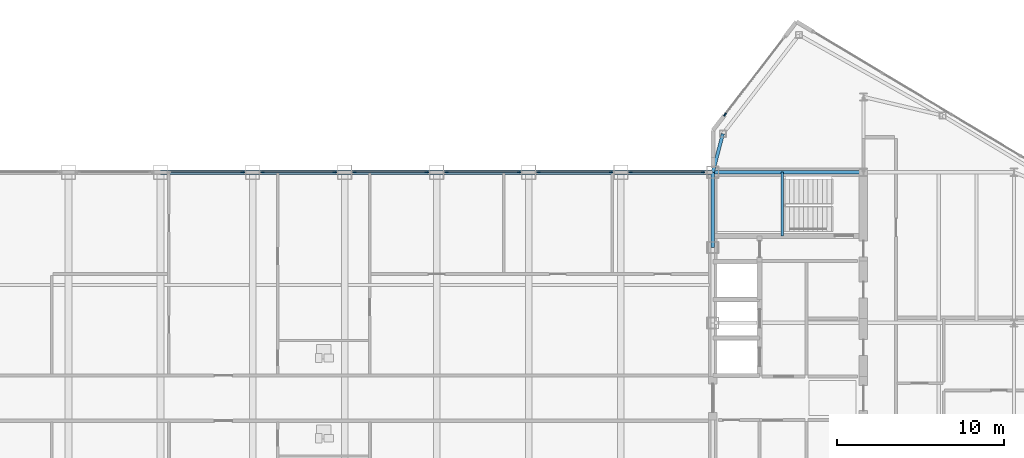
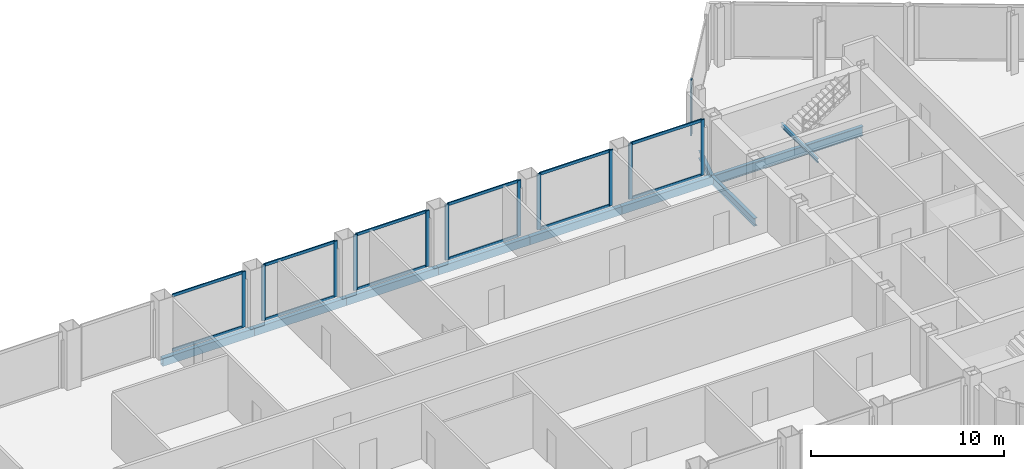
# One storey, part 16 of 29: 24 members, 10 beams, 7 elements without a shape of their own.
"""IFC4 building model written with IfcOpenShell, lengths in metres."""

import ifcopenshell
import ifcopenshell.guid

model = None  # the IFC model being written
_history = None  # IfcOwnerHistory: only IFC2X3 demands one
_inside = {}  # id of a spatial element -> (the spatial element, [elements in it])
_under = {}  # id of a project, library or spatial element -> (it, [spatial elements below it])
_declared = {}  # id of a project -> (the project, [libraries it declares])
_typed = {}  # id of a type object -> (the type object, [elements of that type])
_made_of = {}  # id of a material, layer set ... -> (it, [elements and type objects made of it])


def new_model(schema):
    """Start an empty IFC model of exactly this schema.

    Asked for "IFC4X3", IfcOpenShell would pick the latest addendum, in which some entities
    have other attributes; the version numbers below select the first issue.
    IFC2X3 requires an IfcOwnerHistory on every rooted entity: one is made here for all.
    """
    global model, _history
    if schema == "IFC4X3":
        model = ifcopenshell.file(schema_version=(4, 3, 0, 0))
    else:
        model = ifcopenshell.file(schema=schema)
    _inside.clear()
    _under.clear()
    _declared.clear()
    _typed.clear()
    _made_of.clear()
    _history = None
    if model.schema == "IFC2X3":
        org = make("IfcOrganization", Name="unknown")
        user = make(
            "IfcPersonAndOrganization",
            ThePerson=make("IfcPerson", FamilyName="unknown"),
            TheOrganization=org,
        )
        app = make(
            "IfcApplication",
            ApplicationDeveloper=org,
            Version="unknown",
            ApplicationFullName="unknown",
            ApplicationIdentifier="unknown",
        )
        _history = make(
            "IfcOwnerHistory",
            OwningUser=user,
            OwningApplication=app,
            ChangeAction="ADDED",
            CreationDate=0,
        )
    return model


def make(cls, **values):
    """One entity of the class cls with the attributes given. An attribute that is None is left unset."""
    return model.create_entity(
        cls, **{name: value for name, value in values.items() if value is not None}
    )


def rooted(cls, **values):
    """An entity with a GlobalId (a new one), such as an element, a storey or a relation."""
    return make(cls, GlobalId=ifcopenshell.guid.new(), OwnerHistory=_history, **values)


def si_unit(unit_type, name, prefix=None):
    """IfcSIUnit, for example si_unit("LENGTHUNIT", "METRE", prefix="MILLI")."""
    return make("IfcSIUnit", UnitType=unit_type, Prefix=prefix, Name=name)


def assignment(units):
    """IfcUnitAssignment: the units of a project."""
    return None if units is None else make("IfcUnitAssignment", Units=units)


def point(xyz):
    """IfcCartesianPoint."""
    return None if xyz is None else make("IfcCartesianPoint", Coordinates=xyz)


def direction(xyz):
    """IfcDirection."""
    return None if xyz is None else make("IfcDirection", DirectionRatios=xyz)


def frame(location, z_axis=None, x_axis=None):
    """IfcAxis2Placement3D, a coordinate frame: its origin and axes. An axis left out is left unset."""
    return make(
        "IfcAxis2Placement3D",
        Location=point(location),
        Axis=direction(z_axis),
        RefDirection=direction(x_axis),
    )


def frame_2d(location, x_axis=None):
    """IfcAxis2Placement2D, a coordinate frame in the plane: its origin and x axis."""
    return make(
        "IfcAxis2Placement2D", Location=point(location), RefDirection=direction(x_axis)
    )


def origin():
    """The frame at (0, 0, 0) with its axes left unset."""
    return frame((0.0, 0.0, 0.0))


def origin_2d():
    """The frame at (0, 0) in the plane with its x axis left unset."""
    return frame_2d((0.0, 0.0))


def place(relative_to, where):
    """IfcLocalPlacement: puts the frame where relative to a parent placement (None: the world)."""
    return make(
        "IfcLocalPlacement", PlacementRelTo=relative_to, RelativePlacement=where
    )


def context(
    kind, dimensions, precision=None, world=None, true_north=None, identifier=None
):
    """IfcGeometricRepresentationContext, for example the 3D "Model" context."""
    return make(
        "IfcGeometricRepresentationContext",
        ContextIdentifier=identifier,
        ContextType=kind,
        CoordinateSpaceDimension=dimensions,
        Precision=precision,
        WorldCoordinateSystem=world,
        TrueNorth=true_north,
    )


def subcontext(parent, identifier, kind, view, scale=None):
    """IfcGeometricRepresentationSubContext, for example "Body" below "Model"."""
    return make(
        "IfcGeometricRepresentationSubContext",
        ContextIdentifier=identifier,
        ContextType=kind,
        ParentContext=parent,
        TargetScale=scale,
        TargetView=view,
    )


def project(units=None, contexts=None):
    """IfcProject with its units and contexts."""
    return rooted(
        "IfcProject",
        Name="project",
        RepresentationContexts=contexts,
        UnitsInContext=assignment(units),
    )


def spatial(cls, under=None, at=None, **own):
    """A site, building, storey or space (cls), placed at a placement, below another one or the project."""
    s = rooted(cls, ObjectPlacement=at, **own)
    if under is not None:
        _under.setdefault(under.id(), (under, []))[1].append(s)
    return s


def profile(cls, at=None, kind="AREA", **sizes):
    """A parametric profile (cls). Its sizes go by their IFC names, for example OverallWidth=200.0."""
    return make(cls, ProfileType=kind, Position=at, **sizes)


def rectangle(**sizes):
    """IfcRectangleProfileDef."""
    return profile("IfcRectangleProfileDef", **sizes)


def hollow_rectangle(**sizes):
    """IfcRectangleHollowProfileDef."""
    return profile("IfcRectangleHollowProfileDef", **sizes)


def i_section(**sizes):
    """IfcIShapeProfileDef."""
    return profile("IfcIShapeProfileDef", **sizes)


def extrude(swept, where, along, depth):
    """IfcExtrudedAreaSolid: the profile swept, set in the frame where, extruded along a direction by depth."""
    return make(
        "IfcExtrudedAreaSolid",
        SweptArea=swept,
        Position=where,
        ExtrudedDirection=direction(along),
        Depth=depth,
    )


def shape(context_of_items, identifier, shape_type, items):
    """IfcShapeRepresentation: the items that make up one representation, for example the "Body"."""
    return make(
        "IfcShapeRepresentation",
        ContextOfItems=context_of_items,
        RepresentationIdentifier=identifier,
        RepresentationType=shape_type,
        Items=items,
    )


def source(mapping_origin, context_of_items, identifier, shape_type, items):
    """IfcRepresentationMap: a shape defined once, which mapped items show again and again."""
    return make(
        "IfcRepresentationMap",
        MappingOrigin=mapping_origin,
        MappedRepresentation=shape(context_of_items, identifier, shape_type, items),
    )


def transform(
    local_origin,
    x_axis=None,
    y_axis=None,
    z_axis=None,
    scale=None,
    scale2=None,
    scale3=None,
    uniform=True,
):
    """IfcCartesianTransformationOperator3D, or its non-uniform kind. x_axis, y_axis, z_axis: its Axis1, 2, 3."""
    if uniform:
        return make(
            "IfcCartesianTransformationOperator3D",
            Axis1=direction(x_axis),
            Axis2=direction(y_axis),
            LocalOrigin=point(local_origin),
            Scale=scale,
            Axis3=direction(z_axis),
        )
    return make(
        "IfcCartesianTransformationOperator3DnonUniform",
        Axis1=direction(x_axis),
        Axis2=direction(y_axis),
        LocalOrigin=point(local_origin),
        Scale=scale,
        Axis3=direction(z_axis),
        Scale2=scale2,
        Scale3=scale3,
    )


def mapped(mapping_source, mapping_target):
    """IfcMappedItem: shows the shape of a source again, moved by a transform."""
    return make(
        "IfcMappedItem", MappingSource=mapping_source, MappingTarget=mapping_target
    )


def material(Name=None, Category=None):
    """IfcMaterial."""
    return make("IfcMaterial", Name=Name, Category=Category)


def layer(
    of_material, thickness, ventilated=None, Name=None, Category=None, Priority=None
):
    """IfcMaterialLayer: one layer of a wall or slab, of a material (None: an air gap)."""
    return make(
        "IfcMaterialLayer",
        Material=of_material,
        LayerThickness=thickness,
        IsVentilated=ventilated,
        Name=Name,
        Category=Category,
        Priority=Priority,
    )


def layer_set(layers, Name=None):
    """IfcMaterialLayerSet."""
    return make("IfcMaterialLayerSet", MaterialLayers=layers, LayerSetName=Name)


def material_profile(
    of_material, cross_section, Name=None, Category=None, Priority=None
):
    """IfcMaterialProfile: a cross section and its material."""
    return make(
        "IfcMaterialProfile",
        Name=Name,
        Material=of_material,
        Profile=cross_section,
        Priority=Priority,
        Category=Category,
    )


def profile_set(profiles, Name=None, composite=None):
    """IfcMaterialProfileSet."""
    return make(
        "IfcMaterialProfileSet",
        Name=Name,
        MaterialProfiles=profiles,
        CompositeProfile=composite,
    )


def made_of(thing, what):
    """Note that an element or type object is made of a material, layer set ...; save() writes the relation."""
    if what is not None:
        _made_of.setdefault(what.id(), (what, []))[1].append(thing)
    return thing


def type_object(cls, material=None, **own):
    """A type object (cls), such as IfcWallType, which elements share."""
    return made_of(rooted(cls, **own), material)


def type_shapes(of_type, sources):
    """Give a type object the sources (RepresentationMaps) that its elements show as mapped items."""
    of_type.RepresentationMaps = sources


def element(
    cls,
    number,
    at=None,
    inside=None,
    cuts=None,
    type_object=None,
    material=None,
    context=None,
    identifier="Body",
    shape_type=None,
    held_by="IfcProductDefinitionShape",
    body=None,
    shapes=None,
    **own,
):
    """One element of the class cls, such as IfcWall. Its Tag is "e" and its number.

    at: its placement. inside: the storey or other place that contains it. cuts: it is an
    opening in that element (IfcRelVoidsElement). A single representation is given by context,
    identifier, shape_type and body (its items); several are given by shapes. held_by: the class
    of the entity that holds the representations. save() writes the other relations.
    """
    e = rooted(cls, Tag="e%d" % number, ObjectPlacement=at, **own)
    if body is not None:
        shapes = [shape(context, identifier, shape_type, body)]
    if shapes is not None:
        e.Representation = make(held_by, Representations=shapes)
    if inside is not None:
        _inside.setdefault(inside.id(), (inside, []))[1].append(e)
    if cuts is not None:
        rooted(
            "IfcRelVoidsElement", RelatingBuildingElement=cuts, RelatedOpeningElement=e
        )
    if type_object is not None:
        _typed.setdefault(type_object.id(), (type_object, []))[1].append(e)
    return made_of(e, material)


def aggregate(whole, parts):
    """IfcRelAggregates: a whole, such as a stair, and the parts it consists of."""
    return rooted("IfcRelAggregates", RelatingObject=whole, RelatedObjects=parts)


def save(model, path):
    """Write the relations noted so far, then the file.

    IfcRelAggregates (storeys below a building ...), IfcRelContainedInSpatialStructure (elements
    in a storey), IfcRelDefinesByType, IfcRelAssociatesMaterial and IfcRelDeclares: one each for
    every whole, place, type object, material and project.
    """
    for whole, parts in _under.values():
        aggregate(whole, parts)
    for where, things in _inside.values():
        rooted(
            "IfcRelContainedInSpatialStructure",
            RelatedElements=things,
            RelatingStructure=where,
        )
    for kind, things in _typed.values():
        rooted("IfcRelDefinesByType", RelatedObjects=things, RelatingType=kind)
    for what, things in _made_of.values():
        rooted("IfcRelAssociatesMaterial", RelatedObjects=things, RelatingMaterial=what)
    for by, libraries in _declared.values():
        rooted("IfcRelDeclares", RelatingContext=by, RelatedDefinitions=libraries)
    model.write(path)


model = new_model("IFC4")

# Units and contexts
model_context = context("Model", 3, precision=1e-05, world=origin(), true_north=direction((0.0, 1.0)))
body_context = subcontext(model_context, "Body", "Model", "MODEL_VIEW")
ifc_project = project(units=[si_unit("LENGTHUNIT", "METRE"), si_unit("AREAUNIT", "SQUARE_METRE"), si_unit("VOLUMEUNIT", "CUBIC_METRE"), si_unit("PLANEANGLEUNIT", "RADIAN"), si_unit("MASSUNIT", "GRAM", prefix="KILO")], contexts=[model_context])

# Site, building, storey
site_placement = place(None, origin())
site = spatial("IfcSite", under=ifc_project, at=site_placement, CompositionType="ELEMENT")
building_placement = place(site_placement, origin())
building = spatial("IfcBuilding", under=site, at=building_placement, Name="Seokmaru Belvedere", CompositionType="ELEMENT")
storey_placement = place(building_placement, frame((0.0, 0.0, 254.39990234375)))
storey = spatial("IfcBuildingStorey", under=building, at=storey_placement, Name="L67", CompositionType="ELEMENT", Elevation=254.39990234375)

# Beams
ifc_material_1 = material(Name="Steel SM355 (355 MPa)", Category="steel")
ifc_material_profile_1 = material_profile(ifc_material_1, i_section(OverallWidth=0.199951171875, OverallDepth=0.5, WebThickness=0.010009765625, FlangeThickness=0.01611328125, at=origin_2d()), Name="H-500x200x10x16")
ifc_profile_set_1 = profile_set([ifc_material_profile_1], Name="Steel SM355 (355 MPa)")
beam_type_1 = type_object("IfcBeamType", Name="Perimeter Spandrel Beam H-500", PredefinedType="SPANDREL", material=ifc_profile_set_1)
shared_shape_1 = source(origin(), body_context, "Body", "SweptSolid", [
    extrude(i_section(OverallWidth=0.199951171875, OverallDepth=0.5, WebThickness=0.010009765625, FlangeThickness=0.01611328125, at=origin_2d()), origin(), (0.0, 0.0, 1.0), 4.5),
])
beam_1_placement = place(storey_placement, frame((27.5, 9.0, -0.469970703125), z_axis=(0.0, 1.0, 0.0), x_axis=(-1.0, 0.0, 0.0)))
element("IfcBeam", 1, at=beam_1_placement, inside=storey, type_object=beam_type_1, Name="L67 E Portal Spine Spandrel 5", PredefinedType="SPANDREL", context=body_context, shape_type="MappedRepresentation", body=[
    mapped(shared_shape_1, transform((0.0, 0.0, 0.0), scale=1.0)),
])
ifc_material_profile_2 = material_profile(ifc_material_1, i_section(OverallWidth=0.199951171875, OverallDepth=0.60009765625, WebThickness=0.010986328125, FlangeThickness=0.01708984375, at=origin_2d()), Name="H-600x200x11x17")
ifc_profile_set_2 = profile_set([ifc_material_profile_2], Name="Steel SM355 (355 MPa)")
beam_type_2 = type_object("IfcBeamType", Name="Primary Floor Girder H-600", PredefinedType="BEAM", material=ifc_profile_set_2)
shared_shape_2 = source(origin(), body_context, "Body", "SweptSolid", [
    extrude(i_section(OverallWidth=0.199951171875, OverallDepth=0.60009765625, WebThickness=0.010986328125, FlangeThickness=0.01708984375, at=origin_2d()), origin(), (0.0, 0.0, 1.0), 9.0),
])
type_shapes(beam_type_2, [shared_shape_2])
beam_2_placement = place(storey_placement, frame((27.5, 13.5, -0.52001953125), z_axis=(1.0, 0.0, 0.0), x_axis=(0.0, 1.0, 0.0)))
element("IfcBeam", 2, at=beam_2_placement, inside=storey, type_object=beam_type_2, Name="L67 E Core Tie Girder 4", PredefinedType="BEAM", context=body_context, shape_type="MappedRepresentation", body=[
    mapped(shared_shape_2, transform((0.0, 0.0, 0.0), scale=1.0)),
])
shared_shape_3 = source(origin(), body_context, "Body", "SweptSolid", [
    extrude(i_section(OverallWidth=0.199951171875, OverallDepth=0.5, WebThickness=0.010009765625, FlangeThickness=0.01611328125, at=origin_2d()), origin(), (0.0, 0.0, 1.0), 2.373046875),
])
type_shapes(beam_type_1, [shared_shape_1, shared_shape_3])
beam_3_placement = place(storey_placement, frame((28.10009765625, 15.7958984375, -0.469970703125), z_axis=(-0.252882558842, -0.967496982648, 0.0), x_axis=(0.967496982648, -0.252882558842, 0.0)))
element("IfcBeam", 3, at=beam_3_placement, inside=storey, type_object=beam_type_1, Name="L67 E Shoulder Spine Spandrel N", PredefinedType="SPANDREL", context=body_context, shape_type="MappedRepresentation", body=[
    mapped(shared_shape_3, transform((0.0, 0.0, 0.0), scale=1.0)),
])
ifc_material_profile_3 = material_profile(ifc_material_1, hollow_rectangle(XDim=0.25, YDim=0.5, WallThickness=0.013916015625, at=origin_2d()), Name="RHS-500x250x14")
ifc_profile_set_3 = profile_set([ifc_material_profile_3], Name="Steel SM355 (355 MPa)")
beam_type_3 = type_object("IfcBeamType", Name="Bridge Edge Spandrel RHS-500", PredefinedType="SPANDREL", material=ifc_profile_set_3)
shared_shape_4 = source(origin(), body_context, "Body", "SweptSolid", [
    extrude(hollow_rectangle(XDim=0.25, YDim=0.5, WallThickness=0.013916015625, at=origin_2d()), origin(), (0.0, 0.0, 1.0), 5.5),
])
type_shapes(beam_type_3, [shared_shape_4])
for number, where, z_axis, x_axis, name in (
    (4, (-5.5, 13.5, -0.469970703125), (1.0, 0.0, 0.0), (0.0, 1.0, 0.0), "L67 Sky-Gate Bridge Edge Girder N-05"),
    (5, (0.0, 13.5, -0.469970703125), (1.0, 0.0, 0.0), (0.0, 1.0, 0.0), "L67 Sky-Gate Bridge Edge Girder N-06"),
    (6, (5.5, 13.5, -0.469970703125), (1.0, 0.0, 0.0), (0.0, 1.0, 0.0), "L67 Sky-Gate Bridge Edge Girder N-07"),
    (7, (11.0, 13.5, -0.469970703125), (1.0, 0.0, 0.0), (0.0, 1.0, 0.0), "L67 Sky-Gate Bridge Edge Girder N-08"),
    (8, (16.5, 13.5, -0.469970703125), (1.0, 0.0, 0.0), (0.0, 1.0, 0.0), "L67 Sky-Gate Bridge Edge Girder N-09"),
    (9, (22.0, 13.5, -0.469970703125), (1.0, 0.0, 0.0), (0.0, 1.0, 0.0), "L67 Sky-Gate Bridge Edge Girder N-10"),
):
    element("IfcBeam", number, at=place(storey_placement, frame(where, z_axis=z_axis, x_axis=x_axis)), inside=storey, type_object=beam_type_3, Name=name, PredefinedType="SPANDREL", context=body_context, shape_type="MappedRepresentation", body=[
        mapped(shared_shape_4, transform((0.0, 0.0, 0.0), scale=1.0)),
    ])

# Curtain wall, members
ifc_material_2 = material(Name="Bronze Triple Insulating Glass", Category="glass")
ifc_layer = layer(ifc_material_2, 0.219970703125)
ifc_layer_set = layer_set([ifc_layer], Name="Bronze Triple Insulating Glass")
curtain_wall_type = type_object("IfcCurtainWallType", Name="Sky-Gate Bridge Panorama Curtain Wall System CW-6", PredefinedType="NOTDEFINED", material=ifc_layer_set)
curtain_wall_1_placement = place(storey_placement, origin())
curtain_wall_1 = element("IfcCurtainWall", 10, at=curtain_wall_1_placement, inside=storey, type_object=curtain_wall_type, Name="L67 Curtain Wall BR_N05", PredefinedType="NOTDEFINED")
ifc_material_3 = material(Name="Anodised Bronze Aluminium", Category="aluminium")
ifc_material_profile_4 = material_profile(ifc_material_3, rectangle(XDim=0.074951171875, YDim=0.179931640625, at=origin_2d()), Name="CW-T-75x180")
ifc_profile_set_4 = profile_set([ifc_material_profile_4], Name="Anodised Bronze Aluminium")
member_type_1 = type_object("IfcMemberType", Name="Bronze Unitised Transom 75x180", PredefinedType="USERDEFINED", material=ifc_profile_set_4)
shared_shape_5 = source(origin(), body_context, "Body", "SweptSolid", [
    extrude(rectangle(XDim=0.074951171875, YDim=0.179931640625, at=origin_2d()), origin(), (0.0, 0.0, 1.0), 4.240234375),
])
type_shapes(member_type_1, [shared_shape_5])
member_1_placement = place(storey_placement, frame((-0.6298828125, 13.5, 0.03759765625), z_axis=(-1.0, 0.0, 0.0), x_axis=(0.0, -1.0, 0.0)))
member_1 = element("IfcMember", 11, at=member_1_placement, type_object=member_type_1, Name="CW:L67:BR_N05 Continuous Transom 1", ObjectType="TRANSOM", PredefinedType="USERDEFINED", context=body_context, shape_type="MappedRepresentation", body=[
    mapped(shared_shape_5, transform((0.0, 0.0, 0.0), scale=1.0)),
])
member_2_placement = place(storey_placement, frame((-0.6298828125, 13.5, 3.49267578125), z_axis=(-1.0, 0.0, 0.0), x_axis=(0.0, -1.0, 0.0)))
member_2 = element("IfcMember", 12, at=member_2_placement, type_object=member_type_1, Name="CW:L67:BR_N05 Continuous Transom 2", ObjectType="TRANSOM", PredefinedType="USERDEFINED", context=body_context, shape_type="MappedRepresentation", body=[
    mapped(shared_shape_5, transform((0.0, 0.0, 0.0), scale=1.0)),
])

curtain_wall_2_placement = place(storey_placement, origin())
curtain_wall_2 = element("IfcCurtainWall", 13, at=curtain_wall_2_placement, inside=storey, type_object=curtain_wall_type, Name="L67 Curtain Wall BR_N06", PredefinedType="NOTDEFINED")
member_3_placement = place(storey_placement, frame((4.8701171875, 13.5, 0.03759765625), z_axis=(-1.0, 0.0, 0.0), x_axis=(0.0, -1.0, 0.0)))
member_3 = element("IfcMember", 14, at=member_3_placement, type_object=member_type_1, Name="CW:L67:BR_N06 Continuous Transom 1", ObjectType="TRANSOM", PredefinedType="USERDEFINED", context=body_context, shape_type="MappedRepresentation", body=[
    mapped(shared_shape_5, transform((0.0, 0.0, 0.0), scale=1.0)),
])
member_4_placement = place(storey_placement, frame((4.8701171875, 13.5, 3.49267578125), z_axis=(-1.0, 0.0, 0.0), x_axis=(0.0, -1.0, 0.0)))
member_4 = element("IfcMember", 15, at=member_4_placement, type_object=member_type_1, Name="CW:L67:BR_N06 Continuous Transom 2", ObjectType="TRANSOM", PredefinedType="USERDEFINED", context=body_context, shape_type="MappedRepresentation", body=[
    mapped(shared_shape_5, transform((0.0, 0.0, 0.0), scale=1.0)),
])

curtain_wall_3_placement = place(storey_placement, origin())
curtain_wall_3 = element("IfcCurtainWall", 16, at=curtain_wall_3_placement, inside=storey, type_object=curtain_wall_type, Name="L67 Curtain Wall BR_N07", PredefinedType="NOTDEFINED")
member_5_placement = place(storey_placement, frame((10.3701171875, 13.5, 0.03759765625), z_axis=(-1.0, 0.0, 0.0), x_axis=(0.0, -1.0, 0.0)))
member_5 = element("IfcMember", 17, at=member_5_placement, type_object=member_type_1, Name="CW:L67:BR_N07 Continuous Transom 1", ObjectType="TRANSOM", PredefinedType="USERDEFINED", context=body_context, shape_type="MappedRepresentation", body=[
    mapped(shared_shape_5, transform((0.0, 0.0, 0.0), scale=1.0)),
])
member_6_placement = place(storey_placement, frame((10.3701171875, 13.5, 3.49267578125), z_axis=(-1.0, 0.0, 0.0), x_axis=(0.0, -1.0, 0.0)))
member_6 = element("IfcMember", 18, at=member_6_placement, type_object=member_type_1, Name="CW:L67:BR_N07 Continuous Transom 2", ObjectType="TRANSOM", PredefinedType="USERDEFINED", context=body_context, shape_type="MappedRepresentation", body=[
    mapped(shared_shape_5, transform((0.0, 0.0, 0.0), scale=1.0)),
])

curtain_wall_4_placement = place(storey_placement, origin())
curtain_wall_4 = element("IfcCurtainWall", 19, at=curtain_wall_4_placement, inside=storey, type_object=curtain_wall_type, Name="L67 Curtain Wall BR_N08", PredefinedType="NOTDEFINED")
member_7_placement = place(storey_placement, frame((15.8701171875, 13.5, 0.03759765625), z_axis=(-1.0, 0.0, 0.0), x_axis=(0.0, -1.0, 0.0)))
member_7 = element("IfcMember", 20, at=member_7_placement, type_object=member_type_1, Name="CW:L67:BR_N08 Continuous Transom 1", ObjectType="TRANSOM", PredefinedType="USERDEFINED", context=body_context, shape_type="MappedRepresentation", body=[
    mapped(shared_shape_5, transform((0.0, 0.0, 0.0), scale=1.0)),
])
member_8_placement = place(storey_placement, frame((15.8701171875, 13.5, 3.49267578125), z_axis=(-1.0, 0.0, 0.0), x_axis=(0.0, -1.0, 0.0)))
member_8 = element("IfcMember", 21, at=member_8_placement, type_object=member_type_1, Name="CW:L67:BR_N08 Continuous Transom 2", ObjectType="TRANSOM", PredefinedType="USERDEFINED", context=body_context, shape_type="MappedRepresentation", body=[
    mapped(shared_shape_5, transform((0.0, 0.0, 0.0), scale=1.0)),
])

curtain_wall_5_placement = place(storey_placement, origin())
curtain_wall_5 = element("IfcCurtainWall", 22, at=curtain_wall_5_placement, inside=storey, type_object=curtain_wall_type, Name="L67 Curtain Wall BR_N09", PredefinedType="NOTDEFINED")
member_9_placement = place(storey_placement, frame((21.3701171875, 13.5, 0.03759765625), z_axis=(-1.0, 0.0, 0.0), x_axis=(0.0, -1.0, 0.0)))
member_9 = element("IfcMember", 23, at=member_9_placement, type_object=member_type_1, Name="CW:L67:BR_N09 Continuous Transom 1", ObjectType="TRANSOM", PredefinedType="USERDEFINED", context=body_context, shape_type="MappedRepresentation", body=[
    mapped(shared_shape_5, transform((0.0, 0.0, 0.0), scale=1.0)),
])
member_10_placement = place(storey_placement, frame((21.3701171875, 13.5, 3.49267578125), z_axis=(-1.0, 0.0, 0.0), x_axis=(0.0, -1.0, 0.0)))
member_10 = element("IfcMember", 24, at=member_10_placement, type_object=member_type_1, Name="CW:L67:BR_N09 Continuous Transom 2", ObjectType="TRANSOM", PredefinedType="USERDEFINED", context=body_context, shape_type="MappedRepresentation", body=[
    mapped(shared_shape_5, transform((0.0, 0.0, 0.0), scale=1.0)),
])

curtain_wall_6_placement = place(storey_placement, origin())
curtain_wall_6 = element("IfcCurtainWall", 25, at=curtain_wall_6_placement, inside=storey, type_object=curtain_wall_type, Name="L67 Curtain Wall BR_N10", PredefinedType="NOTDEFINED")
member_11_placement = place(storey_placement, frame((26.8701171875, 13.5, 0.03759765625), z_axis=(-1.0, 0.0, 0.0), x_axis=(0.0, -1.0, 0.0)))
member_11 = element("IfcMember", 26, at=member_11_placement, type_object=member_type_1, Name="CW:L67:BR_N10 Continuous Transom 1", ObjectType="TRANSOM", PredefinedType="USERDEFINED", context=body_context, shape_type="MappedRepresentation", body=[
    mapped(shared_shape_5, transform((0.0, 0.0, 0.0), scale=1.0)),
])
member_12_placement = place(storey_placement, frame((26.8701171875, 13.5, 3.49267578125), z_axis=(-1.0, 0.0, 0.0), x_axis=(0.0, -1.0, 0.0)))
member_12 = element("IfcMember", 27, at=member_12_placement, type_object=member_type_1, Name="CW:L67:BR_N10 Continuous Transom 2", ObjectType="TRANSOM", PredefinedType="USERDEFINED", context=body_context, shape_type="MappedRepresentation", body=[
    mapped(shared_shape_5, transform((0.0, 0.0, 0.0), scale=1.0)),
])

# Curtain wall, member
curtain_wall_7_placement = place(storey_placement, origin())
curtain_wall_7 = element("IfcCurtainWall", 28, at=curtain_wall_7_placement, inside=storey, type_object=curtain_wall_type, Name="L67 Curtain Wall EF4", PredefinedType="NOTDEFINED")
ifc_material_profile_5 = material_profile(ifc_material_3, rectangle(XDim=0.080078125, YDim=0.219970703125, at=origin_2d()), Name="CW-M-80x220")
ifc_profile_set_5 = profile_set([ifc_material_profile_5], Name="Anodised Bronze Aluminium")
member_type_2 = type_object("IfcMemberType", Name="Bronze Unitised Mullion 80x220", PredefinedType="MULLION", material=ifc_profile_set_5)
shared_shape_6 = source(origin(), body_context, "Body", "SweptSolid", [
    extrude(rectangle(XDim=0.080078125, YDim=0.219970703125, at=origin_2d()), origin(), (0.0, 0.0, 1.0), 3.530029296875),
])
type_shapes(member_type_2, [shared_shape_6])
member_13_placement = place(storey_placement, frame((28.2255859375, 16.943115234375, 0.0), z_axis=(0.0, 0.0, 1.0), x_axis=(0.792631353244, -0.609701187349, 0.0)))
member_13 = element("IfcMember", 29, at=member_13_placement, type_object=member_type_2, Name="CW:L67:EF4 Mullion 2", PredefinedType="MULLION", context=body_context, shape_type="MappedRepresentation", body=[
    mapped(shared_shape_6, transform((0.0, 0.0, 0.0), scale=1.0)),
])
aggregate(curtain_wall_7, [member_13])

# Member
member_14_placement = place(storey_placement, frame((-0.590087890625, 13.5, 0.0), z_axis=(0.0, 0.0, 1.0), x_axis=(0.0, -1.0, 0.0)))
member_14 = element("IfcMember", 30, at=member_14_placement, type_object=member_type_2, Name="CW:L67:BR_N05 Mullion 1", PredefinedType="MULLION", context=body_context, shape_type="MappedRepresentation", body=[
    mapped(shared_shape_6, transform((0.0, 0.0, 0.0), scale=1.0)),
])

aggregate(curtain_wall_1, [member_14, member_1, member_2])

member_15_placement = place(storey_placement, frame((4.909912109375, 13.5, 0.0), z_axis=(0.0, 0.0, 1.0), x_axis=(0.0, -1.0, 0.0)))
member_15 = element("IfcMember", 31, at=member_15_placement, type_object=member_type_2, Name="CW:L67:BR_N06 Mullion 1", PredefinedType="MULLION", context=body_context, shape_type="MappedRepresentation", body=[
    mapped(shared_shape_6, transform((0.0, 0.0, 0.0), scale=1.0)),
])

member_16_placement = place(storey_placement, frame((0.590087890625, 13.5, 0.0), z_axis=(0.0, 0.0, 1.0), x_axis=(0.0, -1.0, 0.0)))
member_16 = element("IfcMember", 32, at=member_16_placement, type_object=member_type_2, Name="CW:L67:BR_N06 Mullion 2", PredefinedType="MULLION", context=body_context, shape_type="MappedRepresentation", body=[
    mapped(shared_shape_6, transform((0.0, 0.0, 0.0), scale=1.0)),
])

aggregate(curtain_wall_2, [member_15, member_16, member_3, member_4])

member_17_placement = place(storey_placement, frame((10.409912109375, 13.5, 0.0), z_axis=(0.0, 0.0, 1.0), x_axis=(0.0, -1.0, 0.0)))
member_17 = element("IfcMember", 33, at=member_17_placement, type_object=member_type_2, Name="CW:L67:BR_N07 Mullion 1", PredefinedType="MULLION", context=body_context, shape_type="MappedRepresentation", body=[
    mapped(shared_shape_6, transform((0.0, 0.0, 0.0), scale=1.0)),
])

member_18_placement = place(storey_placement, frame((6.090087890625, 13.5, 0.0), z_axis=(0.0, 0.0, 1.0), x_axis=(0.0, -1.0, 0.0)))
member_18 = element("IfcMember", 34, at=member_18_placement, type_object=member_type_2, Name="CW:L67:BR_N07 Mullion 2", PredefinedType="MULLION", context=body_context, shape_type="MappedRepresentation", body=[
    mapped(shared_shape_6, transform((0.0, 0.0, 0.0), scale=1.0)),
])

aggregate(curtain_wall_3, [member_17, member_18, member_5, member_6])

member_19_placement = place(storey_placement, frame((15.909912109375, 13.5, 0.0), z_axis=(0.0, 0.0, 1.0), x_axis=(0.0, -1.0, 0.0)))
member_19 = element("IfcMember", 35, at=member_19_placement, type_object=member_type_2, Name="CW:L67:BR_N08 Mullion 1", PredefinedType="MULLION", context=body_context, shape_type="MappedRepresentation", body=[
    mapped(shared_shape_6, transform((0.0, 0.0, 0.0), scale=1.0)),
])

member_20_placement = place(storey_placement, frame((11.590087890625, 13.5, 0.0), z_axis=(0.0, 0.0, 1.0), x_axis=(0.0, -1.0, 0.0)))
member_20 = element("IfcMember", 36, at=member_20_placement, type_object=member_type_2, Name="CW:L67:BR_N08 Mullion 2", PredefinedType="MULLION", context=body_context, shape_type="MappedRepresentation", body=[
    mapped(shared_shape_6, transform((0.0, 0.0, 0.0), scale=1.0)),
])

aggregate(curtain_wall_4, [member_19, member_20, member_7, member_8])

member_21_placement = place(storey_placement, frame((21.409912109375, 13.5, 0.0), z_axis=(0.0, 0.0, 1.0), x_axis=(0.0, -1.0, 0.0)))
member_21 = element("IfcMember", 37, at=member_21_placement, type_object=member_type_2, Name="CW:L67:BR_N09 Mullion 1", PredefinedType="MULLION", context=body_context, shape_type="MappedRepresentation", body=[
    mapped(shared_shape_6, transform((0.0, 0.0, 0.0), scale=1.0)),
])

member_22_placement = place(storey_placement, frame((17.090087890625, 13.5, 0.0), z_axis=(0.0, 0.0, 1.0), x_axis=(0.0, -1.0, 0.0)))
member_22 = element("IfcMember", 38, at=member_22_placement, type_object=member_type_2, Name="CW:L67:BR_N09 Mullion 2", PredefinedType="MULLION", context=body_context, shape_type="MappedRepresentation", body=[
    mapped(shared_shape_6, transform((0.0, 0.0, 0.0), scale=1.0)),
])

aggregate(curtain_wall_5, [member_21, member_22, member_9, member_10])

member_23_placement = place(storey_placement, frame((26.909912109375, 13.5, 0.0), z_axis=(0.0, 0.0, 1.0), x_axis=(0.0, -1.0, 0.0)))
member_23 = element("IfcMember", 39, at=member_23_placement, type_object=member_type_2, Name="CW:L67:BR_N10 Mullion 1", PredefinedType="MULLION", context=body_context, shape_type="MappedRepresentation", body=[
    mapped(shared_shape_6, transform((0.0, 0.0, 0.0), scale=1.0)),
])

member_24_placement = place(storey_placement, frame((22.590087890625, 13.5, 0.0), z_axis=(0.0, 0.0, 1.0), x_axis=(0.0, -1.0, 0.0)))
member_24 = element("IfcMember", 40, at=member_24_placement, type_object=member_type_2, Name="CW:L67:BR_N10 Mullion 2", PredefinedType="MULLION", context=body_context, shape_type="MappedRepresentation", body=[
    mapped(shared_shape_6, transform((0.0, 0.0, 0.0), scale=1.0)),
])

aggregate(curtain_wall_6, [member_23, member_24, member_11, member_12])

# Beam
ifc_material_profile_6 = material_profile(ifc_material_1, i_section(OverallWidth=0.125, OverallDepth=0.25, WebThickness=0.006103515625, FlangeThickness=0.009033203125, at=origin_2d()), Name="H-250x125x6x9")
ifc_profile_set_6 = profile_set([ifc_material_profile_6], Name="Steel SM355 (355 MPa)")
beam_type_4 = type_object("IfcBeamType", Name="Stair Mid-Landing Support Beam H-250", PredefinedType="JOIST", material=ifc_profile_set_6)
shared_shape_7 = source(origin(), body_context, "Body", "SweptSolid", [
    extrude(i_section(OverallWidth=0.125, OverallDepth=0.25, WebThickness=0.006103515625, FlangeThickness=0.009033203125, at=origin_2d()), origin(), (0.0, 0.0, 1.0), 3.800048828125),
])
type_shapes(beam_type_4, [shared_shape_7])
beam_4_placement = place(storey_placement, frame((31.64990234375, 9.699951171875, 1.550048828125), z_axis=(0.0, 1.0, 0.0), x_axis=(-1.0, 0.0, 0.0)))
element("IfcBeam", 41, at=beam_4_placement, inside=storey, type_object=beam_type_4, Name="L67 Stair ST-E2 Mid-Landing Support Beam 1", PredefinedType="JOIST", context=body_context, shape_type="MappedRepresentation", body=[
    mapped(shared_shape_7, transform((0.0, 0.0, 0.0), scale=1.0)),
])

save(model, "model.ifc")
